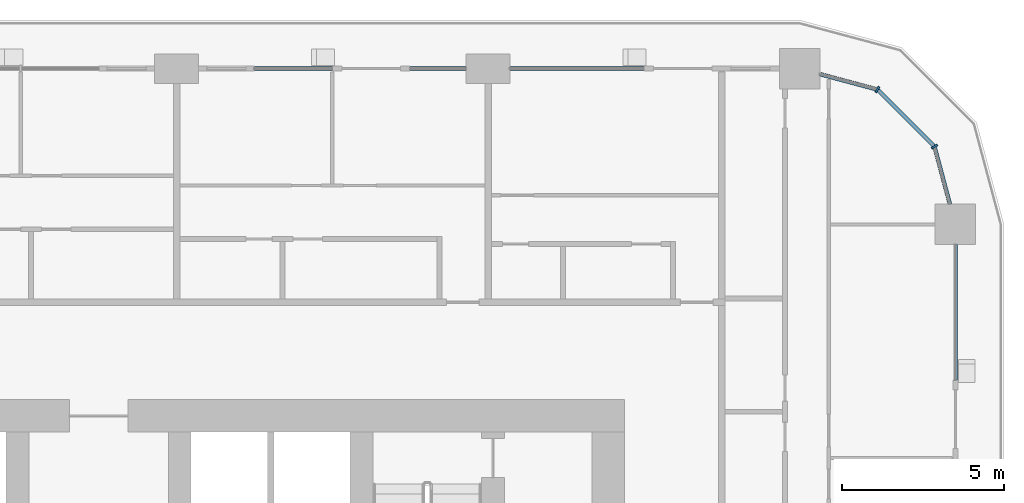
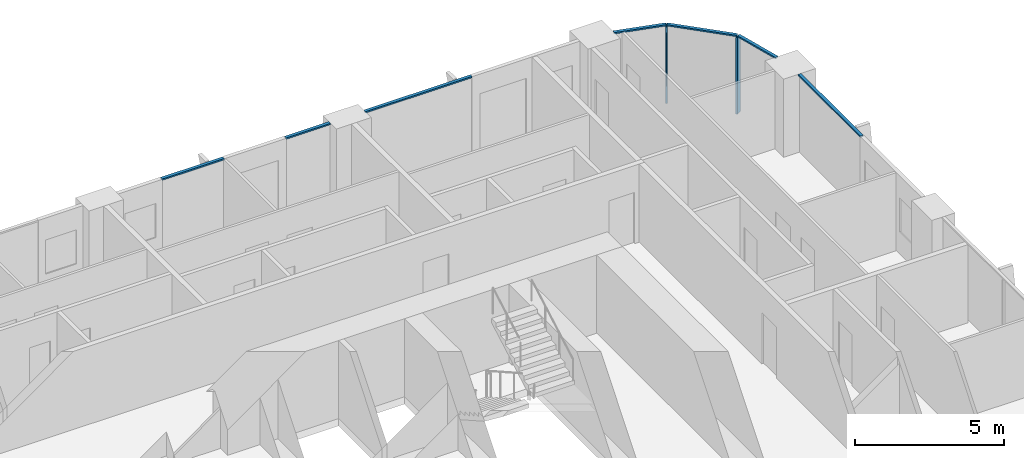
# One storey, part 6 of 21: 9 members, 4 elements without a shape of their own.
"""IFC4 building model written with IfcOpenShell, lengths in metres."""

import ifcopenshell
import ifcopenshell.guid

model = None  # the IFC model being written
_history = None  # IfcOwnerHistory: only IFC2X3 demands one
_inside = {}  # id of a spatial element -> (the spatial element, [elements in it])
_under = {}  # id of a project, library or spatial element -> (it, [spatial elements below it])
_declared = {}  # id of a project -> (the project, [libraries it declares])
_typed = {}  # id of a type object -> (the type object, [elements of that type])
_made_of = {}  # id of a material, layer set ... -> (it, [elements and type objects made of it])


def new_model(schema):
    """Start an empty IFC model of exactly this schema.

    Asked for "IFC4X3", IfcOpenShell would pick the latest addendum, in which some entities
    have other attributes; the version numbers below select the first issue.
    IFC2X3 requires an IfcOwnerHistory on every rooted entity: one is made here for all.
    """
    global model, _history
    if schema == "IFC4X3":
        model = ifcopenshell.file(schema_version=(4, 3, 0, 0))
    else:
        model = ifcopenshell.file(schema=schema)
    _inside.clear()
    _under.clear()
    _declared.clear()
    _typed.clear()
    _made_of.clear()
    _history = None
    if model.schema == "IFC2X3":
        org = make("IfcOrganization", Name="unknown")
        user = make(
            "IfcPersonAndOrganization",
            ThePerson=make("IfcPerson", FamilyName="unknown"),
            TheOrganization=org,
        )
        app = make(
            "IfcApplication",
            ApplicationDeveloper=org,
            Version="unknown",
            ApplicationFullName="unknown",
            ApplicationIdentifier="unknown",
        )
        _history = make(
            "IfcOwnerHistory",
            OwningUser=user,
            OwningApplication=app,
            ChangeAction="ADDED",
            CreationDate=0,
        )
    return model


def make(cls, **values):
    """One entity of the class cls with the attributes given. An attribute that is None is left unset."""
    return model.create_entity(
        cls, **{name: value for name, value in values.items() if value is not None}
    )


def rooted(cls, **values):
    """An entity with a GlobalId (a new one), such as an element, a storey or a relation."""
    return make(cls, GlobalId=ifcopenshell.guid.new(), OwnerHistory=_history, **values)


def si_unit(unit_type, name, prefix=None):
    """IfcSIUnit, for example si_unit("LENGTHUNIT", "METRE", prefix="MILLI")."""
    return make("IfcSIUnit", UnitType=unit_type, Prefix=prefix, Name=name)


def assignment(units):
    """IfcUnitAssignment: the units of a project."""
    return None if units is None else make("IfcUnitAssignment", Units=units)


def point(xyz):
    """IfcCartesianPoint."""
    return None if xyz is None else make("IfcCartesianPoint", Coordinates=xyz)


def direction(xyz):
    """IfcDirection."""
    return None if xyz is None else make("IfcDirection", DirectionRatios=xyz)


def frame(location, z_axis=None, x_axis=None):
    """IfcAxis2Placement3D, a coordinate frame: its origin and axes. An axis left out is left unset."""
    return make(
        "IfcAxis2Placement3D",
        Location=point(location),
        Axis=direction(z_axis),
        RefDirection=direction(x_axis),
    )


def frame_2d(location, x_axis=None):
    """IfcAxis2Placement2D, a coordinate frame in the plane: its origin and x axis."""
    return make(
        "IfcAxis2Placement2D", Location=point(location), RefDirection=direction(x_axis)
    )


def origin():
    """The frame at (0, 0, 0) with its axes left unset."""
    return frame((0.0, 0.0, 0.0))


def origin_2d():
    """The frame at (0, 0) in the plane with its x axis left unset."""
    return frame_2d((0.0, 0.0))


def place(relative_to, where):
    """IfcLocalPlacement: puts the frame where relative to a parent placement (None: the world)."""
    return make(
        "IfcLocalPlacement", PlacementRelTo=relative_to, RelativePlacement=where
    )


def context(
    kind, dimensions, precision=None, world=None, true_north=None, identifier=None
):
    """IfcGeometricRepresentationContext, for example the 3D "Model" context."""
    return make(
        "IfcGeometricRepresentationContext",
        ContextIdentifier=identifier,
        ContextType=kind,
        CoordinateSpaceDimension=dimensions,
        Precision=precision,
        WorldCoordinateSystem=world,
        TrueNorth=true_north,
    )


def subcontext(parent, identifier, kind, view, scale=None):
    """IfcGeometricRepresentationSubContext, for example "Body" below "Model"."""
    return make(
        "IfcGeometricRepresentationSubContext",
        ContextIdentifier=identifier,
        ContextType=kind,
        ParentContext=parent,
        TargetScale=scale,
        TargetView=view,
    )


def project(units=None, contexts=None):
    """IfcProject with its units and contexts."""
    return rooted(
        "IfcProject",
        Name="project",
        RepresentationContexts=contexts,
        UnitsInContext=assignment(units),
    )


def spatial(cls, under=None, at=None, **own):
    """A site, building, storey or space (cls), placed at a placement, below another one or the project."""
    s = rooted(cls, ObjectPlacement=at, **own)
    if under is not None:
        _under.setdefault(under.id(), (under, []))[1].append(s)
    return s


def profile(cls, at=None, kind="AREA", **sizes):
    """A parametric profile (cls). Its sizes go by their IFC names, for example OverallWidth=200.0."""
    return make(cls, ProfileType=kind, Position=at, **sizes)


def rectangle(**sizes):
    """IfcRectangleProfileDef."""
    return profile("IfcRectangleProfileDef", **sizes)


def extrude(swept, where, along, depth):
    """IfcExtrudedAreaSolid: the profile swept, set in the frame where, extruded along a direction by depth."""
    return make(
        "IfcExtrudedAreaSolid",
        SweptArea=swept,
        Position=where,
        ExtrudedDirection=direction(along),
        Depth=depth,
    )


def shape(context_of_items, identifier, shape_type, items):
    """IfcShapeRepresentation: the items that make up one representation, for example the "Body"."""
    return make(
        "IfcShapeRepresentation",
        ContextOfItems=context_of_items,
        RepresentationIdentifier=identifier,
        RepresentationType=shape_type,
        Items=items,
    )


def material(Name=None, Category=None):
    """IfcMaterial."""
    return make("IfcMaterial", Name=Name, Category=Category)


def layer(
    of_material, thickness, ventilated=None, Name=None, Category=None, Priority=None
):
    """IfcMaterialLayer: one layer of a wall or slab, of a material (None: an air gap)."""
    return make(
        "IfcMaterialLayer",
        Material=of_material,
        LayerThickness=thickness,
        IsVentilated=ventilated,
        Name=Name,
        Category=Category,
        Priority=Priority,
    )


def layer_set(layers, Name=None):
    """IfcMaterialLayerSet."""
    return make("IfcMaterialLayerSet", MaterialLayers=layers, LayerSetName=Name)


def material_profile(
    of_material, cross_section, Name=None, Category=None, Priority=None
):
    """IfcMaterialProfile: a cross section and its material."""
    return make(
        "IfcMaterialProfile",
        Name=Name,
        Material=of_material,
        Profile=cross_section,
        Priority=Priority,
        Category=Category,
    )


def profile_set(profiles, Name=None, composite=None):
    """IfcMaterialProfileSet."""
    return make(
        "IfcMaterialProfileSet",
        Name=Name,
        MaterialProfiles=profiles,
        CompositeProfile=composite,
    )


def made_of(thing, what):
    """Note that an element or type object is made of a material, layer set ...; save() writes the relation."""
    if what is not None:
        _made_of.setdefault(what.id(), (what, []))[1].append(thing)
    return thing


def type_object(cls, material=None, **own):
    """A type object (cls), such as IfcWallType, which elements share."""
    return made_of(rooted(cls, **own), material)


def element(
    cls,
    number,
    at=None,
    inside=None,
    cuts=None,
    type_object=None,
    material=None,
    context=None,
    identifier="Body",
    shape_type=None,
    held_by="IfcProductDefinitionShape",
    body=None,
    shapes=None,
    **own,
):
    """One element of the class cls, such as IfcWall. Its Tag is "e" and its number.

    at: its placement. inside: the storey or other place that contains it. cuts: it is an
    opening in that element (IfcRelVoidsElement). A single representation is given by context,
    identifier, shape_type and body (its items); several are given by shapes. held_by: the class
    of the entity that holds the representations. save() writes the other relations.
    """
    e = rooted(cls, Tag="e%d" % number, ObjectPlacement=at, **own)
    if body is not None:
        shapes = [shape(context, identifier, shape_type, body)]
    if shapes is not None:
        e.Representation = make(held_by, Representations=shapes)
    if inside is not None:
        _inside.setdefault(inside.id(), (inside, []))[1].append(e)
    if cuts is not None:
        rooted(
            "IfcRelVoidsElement", RelatingBuildingElement=cuts, RelatedOpeningElement=e
        )
    if type_object is not None:
        _typed.setdefault(type_object.id(), (type_object, []))[1].append(e)
    return made_of(e, material)


def aggregate(whole, parts):
    """IfcRelAggregates: a whole, such as a stair, and the parts it consists of."""
    return rooted("IfcRelAggregates", RelatingObject=whole, RelatedObjects=parts)


def save(model, path):
    """Write the relations noted so far, then the file.

    IfcRelAggregates (storeys below a building ...), IfcRelContainedInSpatialStructure (elements
    in a storey), IfcRelDefinesByType, IfcRelAssociatesMaterial and IfcRelDeclares: one each for
    every whole, place, type object, material and project.
    """
    for whole, parts in _under.values():
        aggregate(whole, parts)
    for where, things in _inside.values():
        rooted(
            "IfcRelContainedInSpatialStructure",
            RelatedElements=things,
            RelatingStructure=where,
        )
    for kind, things in _typed.values():
        rooted("IfcRelDefinesByType", RelatedObjects=things, RelatingType=kind)
    for what, things in _made_of.values():
        rooted("IfcRelAssociatesMaterial", RelatedObjects=things, RelatingMaterial=what)
    for by, libraries in _declared.values():
        rooted("IfcRelDeclares", RelatingContext=by, RelatedDefinitions=libraries)
    model.write(path)


model = new_model("IFC4")

# Units and contexts
model_context = context("Model", 3, precision=1e-05, world=origin(), true_north=direction((0.0, 1.0)))
body_context = subcontext(model_context, "Body", "Model", "MODEL_VIEW")
ifc_project = project(units=[si_unit("LENGTHUNIT", "METRE"), si_unit("AREAUNIT", "SQUARE_METRE"), si_unit("VOLUMEUNIT", "CUBIC_METRE"), si_unit("PLANEANGLEUNIT", "RADIAN"), si_unit("MASSUNIT", "GRAM", prefix="KILO")], contexts=[model_context])

# Site, building, storey
site_placement = place(None, origin())
site = spatial("IfcSite", under=ifc_project, at=site_placement, CompositionType="ELEMENT")
building_placement = place(site_placement, origin())
building = spatial("IfcBuilding", under=site, at=building_placement, Name="Madar Terraces", CompositionType="ELEMENT")
storey_placement = place(building_placement, frame((0.0, 0.0, 32.89990234375)))
storey = spatial("IfcBuildingStorey", under=building, at=storey_placement, Name="L07", CompositionType="ELEMENT", Elevation=32.89990234375)

# Curtain wall, members
ifc_material_1 = material(Name="Glass, ceramic frit dark grey, with black aluminium frame", Category="aluminium")
ifc_layer = layer(ifc_material_1, 0.199951171875)
ifc_layer_set = layer_set([ifc_layer], Name="Facade curtain wall, fritted glass")
curtain_wall_type = type_object("IfcCurtainWallType", Name="Facade curtain wall, fritted glass", PredefinedType="NOTDEFINED", material=ifc_layer_set)
curtain_wall_1_placement = place(storey_placement, origin())
curtain_wall_1 = element("IfcCurtainWall", 1, at=curtain_wall_1_placement, inside=storey, type_object=curtain_wall_type, Name="Outer skin curtain wall north-east corner", PredefinedType="NOTDEFINED")
ifc_material_2 = material(Name="Aluminium, black anodised", Category="aluminium")
ifc_material_profile_1 = material_profile(ifc_material_2, rectangle(XDim=0.199951171875, YDim=0.06005859375, at=origin_2d()), Name="Facade mullion 60x200")
ifc_profile_set_1 = profile_set([ifc_material_profile_1], Name="Aluminium, black anodised")
member_type_1 = type_object("IfcMemberType", Name="Facade mullion 60x200", PredefinedType="MULLION", material=ifc_profile_set_1)
member_1_placement = place(storey_placement, frame((56.95703125, 45.60009765625, 0.0), z_axis=(0.0, 0.0, 1.0), x_axis=(-0.866025409797, -0.499999989586, 0.0)))
member_1 = element("IfcMember", 2, at=member_1_placement, type_object=member_type_1, Name="Mullion 1", PredefinedType="MULLION", context=body_context, shape_type="SweptSolid", body=[
    extrude(rectangle(XDim=0.199951171875, YDim=0.06005859375, at=origin_2d()), origin(), (0.0, 0.0, 1.0), 3.14013671875),
])
member_2_placement = place(storey_placement, frame((55.199951171875, 47.35693359375, 0.0), z_axis=(0.0, 0.0, 1.0), x_axis=(-0.499999989586, -0.866025409797, 0.0)))
member_2 = element("IfcMember", 3, at=member_2_placement, type_object=member_type_1, Name="Mullion 2", PredefinedType="MULLION", context=body_context, shape_type="SweptSolid", body=[
    extrude(rectangle(XDim=0.199951171875, YDim=0.06005859375, at=origin_2d()), origin(), (0.0, 0.0, 1.0), 3.14013671875),
])

# Curtain wall, member
curtain_wall_2_placement = place(storey_placement, origin())
curtain_wall_2 = element("IfcCurtainWall", 4, at=curtain_wall_2_placement, inside=storey, type_object=curtain_wall_type, Name="Outer skin curtain wall east bay 4", PredefinedType="NOTDEFINED")
ifc_material_3 = material(Name="Aluminium, black anodised", Category="aluminium")
ifc_material_profile_2 = material_profile(ifc_material_3, rectangle(XDim=0.1201171875, YDim=0.06005859375, at=origin_2d()), Name="Facade transom 60x120")
ifc_profile_set_2 = profile_set([ifc_material_profile_2], Name="Aluminium, black anodised")
member_type_2 = type_object("IfcMemberType", Name="Facade transom 60x120", PredefinedType="USERDEFINED", material=ifc_profile_set_2)
member_3_placement = place(storey_placement, frame((57.60009765625, 38.39990234375, 3.170166015625), z_axis=(0.0, 1.0, 0.0), x_axis=(-1.0, 0.0, 0.0)))
member_3 = element("IfcMember", 5, at=member_3_placement, type_object=member_type_2, Name="Transom 1", ObjectType="TRANSOM", PredefinedType="USERDEFINED", context=body_context, shape_type="SweptSolid", body=[
    extrude(rectangle(XDim=0.1201171875, YDim=0.06005859375, at=origin_2d()), origin(), (0.0, 0.0, 1.0), 4.175048828125),
])
aggregate(curtain_wall_2, [member_3])

curtain_wall_3_placement = place(storey_placement, origin())
curtain_wall_3 = element("IfcCurtainWall", 6, at=curtain_wall_3_placement, inside=storey, type_object=curtain_wall_type, Name="Outer skin curtain wall north bay 1", PredefinedType="NOTDEFINED")
member_4_placement = place(storey_placement, frame((48.0, 48.0, 3.170166015625), z_axis=(-1.0, 0.0, 0.0), x_axis=(0.0, -1.0, 0.0)))
member_4 = element("IfcMember", 7, at=member_4_placement, type_object=member_type_2, Name="Transom 1", ObjectType="TRANSOM", PredefinedType="USERDEFINED", context=body_context, shape_type="SweptSolid", body=[
    extrude(rectangle(XDim=0.1201171875, YDim=0.06005859375, at=origin_2d()), origin(), (0.0, 0.0, 1.0), 4.125),
])
aggregate(curtain_wall_3, [member_4])

# Curtain wall, members
curtain_wall_4_placement = place(storey_placement, origin())
curtain_wall_4 = element("IfcCurtainWall", 8, at=curtain_wall_4_placement, inside=storey, type_object=curtain_wall_type, Name="Outer skin curtain wall north bay 2", PredefinedType="NOTDEFINED")
member_5_placement = place(storey_placement, frame((42.52490234375, 48.0, 3.170166015625), z_axis=(-1.0, 0.0, 0.0), x_axis=(0.0, -1.0, 0.0)))
member_5 = element("IfcMember", 9, at=member_5_placement, type_object=member_type_2, Name="Transom 1", ObjectType="TRANSOM", PredefinedType="USERDEFINED", context=body_context, shape_type="SweptSolid", body=[
    extrude(rectangle(XDim=0.1201171875, YDim=0.06005859375, at=origin_2d()), origin(), (0.0, 0.0, 1.0), 1.724853515625),
])
member_6_placement = place(storey_placement, frame((38.39990234375, 48.0, 3.170166015625), z_axis=(-1.0, 0.0, 0.0), x_axis=(0.0, -1.0, 0.0)))
member_6 = element("IfcMember", 10, at=member_6_placement, type_object=member_type_2, Name="Transom 2", ObjectType="TRANSOM", PredefinedType="USERDEFINED", context=body_context, shape_type="SweptSolid", body=[
    extrude(rectangle(XDim=0.1201171875, YDim=0.06005859375, at=origin_2d()), origin(), (0.0, 0.0, 1.0), 2.39990234375),
])
aggregate(curtain_wall_4, [member_5, member_6])

# Member
member_7_placement = place(storey_placement, frame((57.4326171875, 43.824951171875, 3.170166015625), z_axis=(-0.258898097903, 0.965904640688, 0.0), x_axis=(-0.965904640688, -0.258898097903, 0.0)))
member_7 = element("IfcMember", 11, at=member_7_placement, type_object=member_type_2, Name="Transom 1", ObjectType="TRANSOM", PredefinedType="USERDEFINED", context=body_context, shape_type="SweptSolid", body=[
    extrude(rectangle(XDim=0.1201171875, YDim=0.06005859375, at=origin_2d()), origin(), (0.0, 0.0, 1.0), 1.8076171875),
])

member_8_placement = place(storey_placement, frame((56.935791015625, 45.62109375, 3.170166015625), z_axis=(-0.707106781187, 0.707106781187, 0.0), x_axis=(-0.707106781187, -0.707106781187, 0.0)))
member_8 = element("IfcMember", 12, at=member_8_placement, type_object=member_type_2, Name="Transom 2", ObjectType="TRANSOM", PredefinedType="USERDEFINED", context=body_context, shape_type="SweptSolid", body=[
    extrude(rectangle(XDim=0.1201171875, YDim=0.06005859375, at=origin_2d()), origin(), (0.0, 0.0, 1.0), 2.4248046875),
])

member_9_placement = place(storey_placement, frame((55.171142578125, 47.36474609375, 3.170166015625), z_axis=(-0.965938406667, 0.258772089929, 0.0), x_axis=(-0.258772089929, -0.965938406667, 0.0)))
member_9 = element("IfcMember", 13, at=member_9_placement, type_object=member_type_2, Name="Transom 3", ObjectType="TRANSOM", PredefinedType="USERDEFINED", context=body_context, shape_type="SweptSolid", body=[
    extrude(rectangle(XDim=0.1201171875, YDim=0.06005859375, at=origin_2d()), origin(), (0.0, 0.0, 1.0), 1.8076171875),
])

aggregate(curtain_wall_1, [member_1, member_7, member_2, member_8, member_9])

save(model, "model.ifc")
